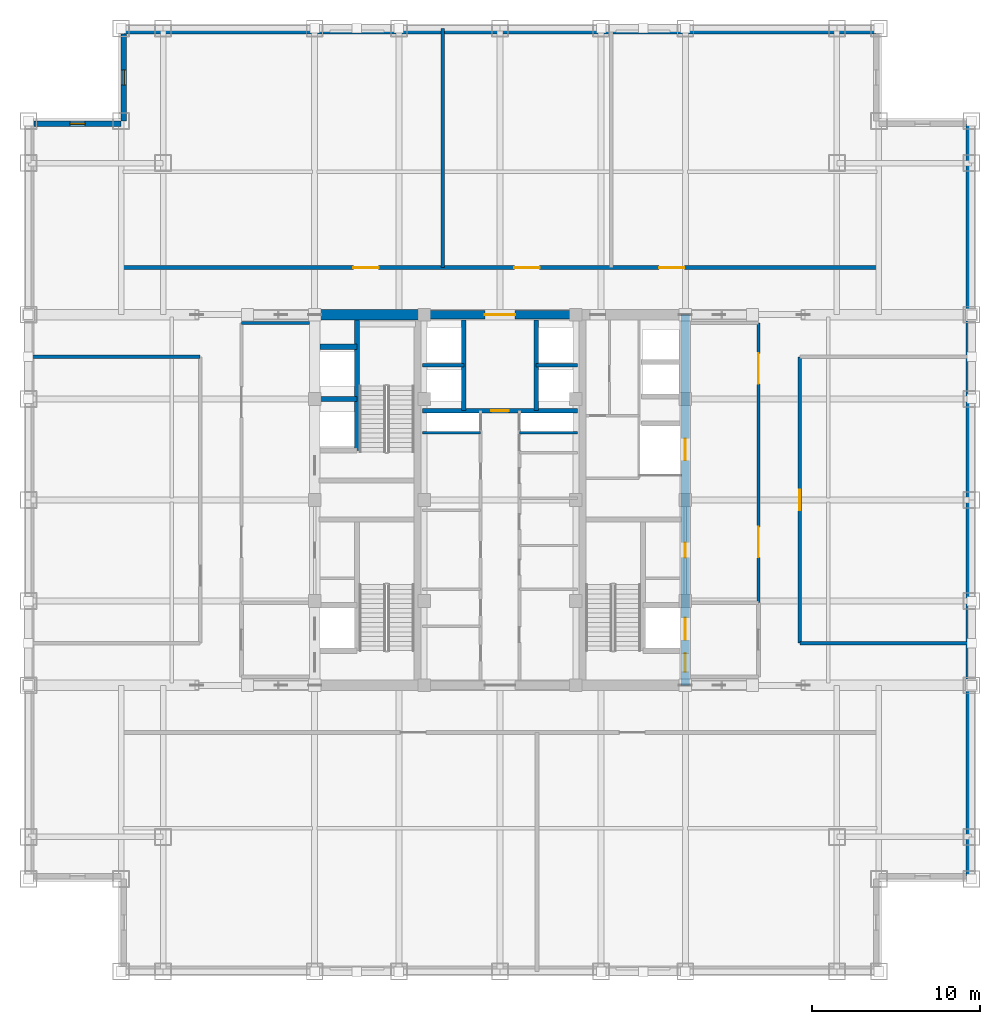
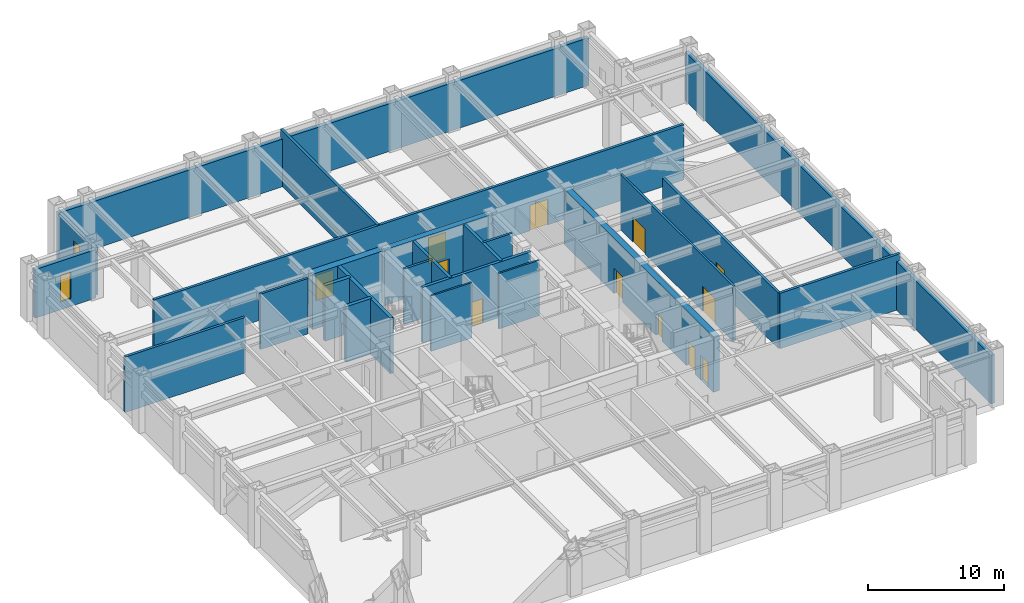
# One storey, part 8 of 11: 24 walls, 12 doors, 2 windows, 14 openings.
"""IFC4 building model written with IfcOpenShell, lengths in metres."""

from ifc_helpers import new_model, si_unit, direction, frame, frame_2d, origin, place, context, subcontext, project, spatial, rectangle, extrude, source, transform, mapped, material, layer, layer_set, type_object, element, fill, save


model = new_model("IFC4")

# Units and contexts
model_context = context("Model", 3, precision=1e-05, world=origin(), true_north=direction((0.0, 1.0)))
body_context = subcontext(model_context, "Body", "Model", "MODEL_VIEW")
ifc_project = project(units=[si_unit("LENGTHUNIT", "METRE"), si_unit("AREAUNIT", "SQUARE_METRE"), si_unit("VOLUMEUNIT", "CUBIC_METRE"), si_unit("PLANEANGLEUNIT", "RADIAN"), si_unit("MASSUNIT", "GRAM", prefix="KILO")], contexts=[model_context])

# Site, building, storey
site_placement = place(None, origin())
site = spatial("IfcSite", under=ifc_project, at=site_placement, CompositionType="ELEMENT")
building_placement = place(site_placement, origin())
building = spatial("IfcBuilding", under=site, at=building_placement, Name="Khorayat Bourse Tower", CompositionType="ELEMENT")
storey_placement = place(building_placement, frame((0.0, 0.0, 268.300048828125)))
storey = spatial("IfcBuildingStorey", under=building, at=storey_placement, Name="L63", CompositionType="ELEMENT", Elevation=268.300048828125)

# Wall, opening, door
ifc_material_1 = material(Name="Concrete C52/65", Category="concrete")
ifc_layer_1 = layer(ifc_material_1, 0.5)
ifc_layer_set_1 = layer_set([ifc_layer_1], Name="Concrete C52/65")
wall_type_1 = type_object("IfcWallType", Name="WAL-CORE-500", PredefinedType="SHEAR", material=ifc_layer_set_1)
shared_shape_1 = source(origin(), body_context, "Body", "SweptSolid", [
    extrude(rectangle(XDim=9.2001953125, YDim=0.5, at=frame_2d((4.60009765625, 0.0))), origin(), (0.0, 0.0, 1.0), 4.97998046875),
])
wall_1_placement = place(storey_placement, frame((-4.60009765625, 11.0, 0.0), z_axis=(0.0, 0.0, 1.0), x_axis=(1.0, 0.0, 0.0)))
wall_1 = element("IfcWall", 1, at=wall_1_placement, inside=storey, type_object=wall_type_1, Name="L63 Core Shear Wall CORE-N", PredefinedType="SHEAR", context=body_context, shape_type="MappedRepresentation", body=[
    mapped(shared_shape_1, transform((0.0, 0.0, 0.0), scale=1.0)),
])
shared_shape_2 = source(origin(), body_context, "Body", "SweptSolid", [
    extrude(rectangle(XDim=1.800048828125, YDim=2.25, at=frame_2d((0.89990234375, 1.125))), frame((0.0, 0.260009765625, 0.0), z_axis=(0.0, -1.0, 0.0), x_axis=(1.0, 0.0, 0.0)), (0.0, 0.0, 1.0), 0.52001953125),
])
opening_1_placement = place(wall_1_placement, frame((3.699951171875, 0.0, 0.0)))
opening_1 = element("IfcOpeningElement", 2, at=opening_1_placement, cuts=wall_1, Name="Opening DI-03", PredefinedType="OPENING", context=body_context, shape_type="MappedRepresentation", body=[
    mapped(shared_shape_2, transform((0.0, 0.0, 0.0), scale=1.0)),
])
ifc_material_2 = material(Name="Fire-rated hardwood vision-panel double leaf", Category="wood")
door_type_1 = type_object("IfcDoorType", Name="DR-INT-CORR-1800", OperationType="NOTDEFINED", PredefinedType="DOOR", material=ifc_material_2)
shared_shape_3 = source(origin(), body_context, "Body", "SweptSolid", [
    extrude(rectangle(XDim=1.800048828125, YDim=2.25, at=frame_2d((0.89990234375, 1.125))), frame((0.0, 0.02490234375, 0.0), z_axis=(0.0, -1.0, 0.0), x_axis=(1.0, 0.0, 0.0)), (0.0, 0.0, 1.0), 0.050048828125),
])
door_1_placement = place(opening_1_placement, origin())
door_1 = element("IfcDoor", 3, at=door_1_placement, inside=storey, type_object=door_type_1, Name="L63 Mid-Rise Lift Lobby Door", OperationType="SINGLE_SWING_RIGHT", OverallHeight=2.25, OverallWidth=1.800048828125, PredefinedType="DOOR", context=body_context, shape_type="MappedRepresentation", body=[
    mapped(shared_shape_3, transform((0.0, 0.0, 0.0), scale=1.0)),
])
fill(opening_1, door_1)

# Wall, openings, doors
shared_shape_4 = source(origin(), body_context, "Body", "SweptSolid", [
    extrude(rectangle(XDim=22.0, YDim=0.5, at=frame_2d((11.0, 0.0))), origin(), (0.0, 0.0, 1.0), 4.97998046875),
])
wall_2_placement = place(storey_placement, frame((11.0, -11.0, 0.0), z_axis=(0.0, 0.0, 1.0), x_axis=(0.0, 1.0, 0.0)))
wall_2 = element("IfcWall", 4, at=wall_2_placement, inside=storey, type_object=wall_type_1, Name="L63 Core Shear Wall CORE-E", PredefinedType="SHEAR", context=body_context, shape_type="MappedRepresentation", body=[
    mapped(shared_shape_4, transform((0.0, 0.0, 0.0), scale=1.0)),
])
shared_shape_5 = source(origin(), body_context, "Body", "SweptSolid", [
    extrude(rectangle(XDim=1.10009765625, YDim=2.199951171875, at=frame_2d((0.550048828125, 1.10009765625))), frame((0.0, 0.260009765625, 0.0), z_axis=(0.0, -1.0, 0.0), x_axis=(1.0, 0.0, 0.0)), (0.0, 0.0, 1.0), 0.52001953125),
])
opening_2_placement = place(wall_2_placement, frame((0.800048828125, 0.0, 0.0)))
opening_2 = element("IfcOpeningElement", 5, at=opening_2_placement, cuts=wall_2, Name="Opening DI-01", PredefinedType="OPENING", context=body_context, shape_type="MappedRepresentation", body=[
    mapped(shared_shape_5, transform((0.0, 0.0, 0.0), scale=1.0)),
])
shared_shape_6 = source(origin(), body_context, "Body", "SweptSolid", [
    extrude(rectangle(XDim=0.89990234375, YDim=2.14990234375, at=frame_2d((0.449951171875, 1.074951171875))), frame((0.0, 0.260009765625, 0.0), z_axis=(0.0, -1.0, 0.0), x_axis=(1.0, 0.0, 0.0)), (0.0, 0.0, 1.0), 0.52001953125),
])
opening_3_placement = place(wall_2_placement, frame((7.574951171875, 0.0, 0.0)))
opening_3 = element("IfcOpeningElement", 6, at=opening_3_placement, cuts=wall_2, Name="Opening DI-06", PredefinedType="OPENING", context=body_context, shape_type="MappedRepresentation", body=[
    mapped(shared_shape_6, transform((0.0, 0.0, 0.0), scale=1.0)),
])
shared_shape_7 = source(origin(), body_context, "Body", "SweptSolid", [
    extrude(rectangle(XDim=1.300048828125, YDim=2.300048828125, at=frame_2d((0.64990234375, 1.14990234375))), frame((0.0, 0.260009765625, 0.0), z_axis=(0.0, -1.0, 0.0), x_axis=(1.0, 0.0, 0.0)), (0.0, 0.0, 1.0), 0.52001953125),
])
opening_4_placement = place(wall_2_placement, frame((2.699951171875, 0.0, 0.0)))
opening_4 = element("IfcOpeningElement", 7, at=opening_4_placement, cuts=wall_2, Name="Opening LD-02", PredefinedType="OPENING", context=body_context, shape_type="MappedRepresentation", body=[
    mapped(shared_shape_7, transform((0.0, 0.0, 0.0), scale=1.0)),
])
opening_5_placement = place(wall_2_placement, frame((13.35009765625, 0.0, 0.0)))
opening_5 = element("IfcOpeningElement", 8, at=opening_5_placement, cuts=wall_2, Name="Opening LD-02", PredefinedType="OPENING", context=body_context, shape_type="MappedRepresentation", body=[
    mapped(shared_shape_7, transform((0.0, 0.0, 0.0), scale=1.0)),
])
ifc_material_3 = material(Name="Fire-rated steel acoustic leaf", Category="steel")
door_type_2 = type_object("IfcDoorType", Name="DR-INT-STAIR-1100", OperationType="NOTDEFINED", PredefinedType="DOOR", material=ifc_material_3)
shared_shape_8 = source(origin(), body_context, "Body", "SweptSolid", [
    extrude(rectangle(XDim=1.10009765625, YDim=2.199951171875, at=frame_2d((0.550048828125, 1.10009765625))), frame((0.0, 0.02490234375, 0.0), z_axis=(0.0, -1.0, 0.0), x_axis=(1.0, 0.0, 0.0)), (0.0, 0.0, 1.0), 0.050048828125),
])
door_2_placement = place(opening_2_placement, origin())
door_2 = element("IfcDoor", 9, at=door_2_placement, inside=storey, type_object=door_type_2, Name="L63 Exit Stair 3 Door", OperationType="SINGLE_SWING_LEFT", OverallHeight=2.199951171875, OverallWidth=1.10009765625, PredefinedType="DOOR", context=body_context, shape_type="MappedRepresentation", body=[
    mapped(shared_shape_8, transform((0.0, 0.0, 0.0), scale=1.0)),
])
fill(opening_2, door_2)
ifc_material_4 = material(Name="Moisture-resistant laminate washroom door")
door_type_3 = type_object("IfcDoorType", Name="DR-INT-WC-900", OperationType="NOTDEFINED", PredefinedType="DOOR", material=ifc_material_4)
shared_shape_9 = source(origin(), body_context, "Body", "SweptSolid", [
    extrude(rectangle(XDim=0.89990234375, YDim=2.14990234375, at=frame_2d((0.449951171875, 1.074951171875))), frame((0.0, 0.02490234375, 0.0), z_axis=(0.0, -1.0, 0.0), x_axis=(1.0, 0.0, 0.0)), (0.0, 0.0, 1.0), 0.050048828125),
])
door_3_placement = place(opening_3_placement, origin())
door_3 = element("IfcDoor", 10, at=door_3_placement, inside=storey, type_object=door_type_3, Name="L63 Fiber Server Plant Room Door", OperationType="SINGLE_SWING_LEFT", OverallHeight=2.14990234375, OverallWidth=0.89990234375, PredefinedType="DOOR", context=body_context, shape_type="MappedRepresentation", body=[
    mapped(shared_shape_9, transform((0.0, 0.0, 0.0), scale=1.0)),
])
fill(opening_3, door_3)
ifc_material_5 = material(Name="Fire-rated stainless-steel sliding landing door", Category="steel")
door_type_4 = type_object("IfcDoorType", Name="DR-LIFT-FF-1300", OperationType="NOTDEFINED", PredefinedType="DOOR", material=ifc_material_5)
shared_shape_10 = source(origin(), body_context, "Body", "SweptSolid", [
    extrude(rectangle(XDim=1.300048828125, YDim=2.300048828125, at=frame_2d((0.64990234375, 1.14990234375))), frame((0.0, 0.02490234375, 0.0), z_axis=(0.0, -1.0, 0.0), x_axis=(1.0, 0.0, 0.0)), (0.0, 0.0, 1.0), 0.050048828125),
])
door_4_placement = place(opening_4_placement, origin())
door_4 = element("IfcDoor", 11, at=door_4_placement, inside=storey, type_object=door_type_4, Name="L63 Lift FFL-02 Sliding Landing Door", OperationType="SLIDING_TO_LEFT", OverallHeight=2.300048828125, OverallWidth=1.300048828125, PredefinedType="DOOR", context=body_context, shape_type="MappedRepresentation", body=[
    mapped(shared_shape_10, transform((0.0, 0.0, 0.0), scale=1.0)),
])
fill(opening_4, door_4)
door_5_placement = place(opening_5_placement, origin())
door_5 = element("IfcDoor", 12, at=door_5_placement, inside=storey, type_object=door_type_4, Name="L63 Lift SVL-01 Sliding Landing Door", OperationType="SLIDING_TO_LEFT", OverallHeight=2.300048828125, OverallWidth=1.300048828125, PredefinedType="DOOR", context=body_context, shape_type="MappedRepresentation", body=[
    mapped(shared_shape_10, transform((0.0, 0.0, 0.0), scale=1.0)),
])
fill(opening_5, door_5)

# Wall
ifc_material_6 = material(Name="Concrete C60/75", Category="concrete")
ifc_layer_2 = layer(ifc_material_6, 0.60009765625)
ifc_layer_set_2 = layer_set([ifc_layer_2], Name="Concrete C60/75")
wall_type_2 = type_object("IfcWallType", Name="WAL-CORE-600", PredefinedType="SHEAR", material=ifc_layer_set_2)
shared_shape_11 = source(origin(), body_context, "Body", "SweptSolid", [
    extrude(rectangle(XDim=5.89990234375, YDim=0.60009765625, at=frame_2d((2.949951171875, 0.0))), origin(), (0.0, 0.0, 1.0), 4.97998046875),
])
wall_3_placement = place(storey_placement, frame((-10.75, 11.0, 0.0), z_axis=(0.0, 0.0, 1.0), x_axis=(1.0, 0.0, 0.0)))
element("IfcWall", 13, at=wall_3_placement, inside=storey, type_object=wall_type_2, Name="L63 Core Shear Wall PIER-WN", PredefinedType="SHEAR", context=body_context, shape_type="MappedRepresentation", body=[
    mapped(shared_shape_11, transform((0.0, 0.0, 0.0), scale=1.0)),
])

# Wall, opening, window
ifc_material_7 = material(Name="Precast concrete C45/55", Category="concrete")
ifc_layer_3 = layer(ifc_material_7, 0.320068359375)
ifc_layer_set_3 = layer_set([ifc_layer_3], Name="Precast concrete C45/55")
wall_type_3 = type_object("IfcWallType", Name="WAL-EXT-STONE-320", PredefinedType="STANDARD", material=ifc_layer_set_3)
shared_shape_12 = source(origin(), body_context, "Body", "SweptSolid", [
    extrude(rectangle(XDim=5.179931640625, YDim=0.320068359375, at=frame_2d((2.58984375, 0.0))), origin(), (0.0, 0.0, 1.0), 4.364013671875),
])
wall_4_placement = place(storey_placement, frame((-22.5, 22.340087890625, 0.0), z_axis=(0.0, 0.0, 1.0), x_axis=(-1.0, 0.0, 0.0)))
wall_4 = element("IfcWall", 14, at=wall_4_placement, inside=storey, type_object=wall_type_3, Name="L63 Re-Entrant Notch Limestone Wall NW-H", PredefinedType="STANDARD", context=body_context, shape_type="MappedRepresentation", body=[
    mapped(shared_shape_12, transform((0.0, 0.0, 0.0), scale=1.0)),
])
shared_shape_13 = source(origin(), body_context, "Body", "SweptSolid", [
    extrude(rectangle(XDim=0.89990234375, YDim=2.39990234375, at=frame_2d((0.449951171875, 1.199951171875))), frame((0.0, 0.169921875, 0.0), z_axis=(0.0, -1.0, 0.0), x_axis=(1.0, 0.0, 0.0)), (0.0, 0.0, 1.0), 0.340087890625),
])
opening_6_placement = place(wall_4_placement, frame((2.139892578125, 0.0, 0.699951171875)))
opening_6 = element("IfcOpeningElement", 15, at=opening_6_placement, cuts=wall_4, Name="Opening WN-03", PredefinedType="OPENING", context=body_context, shape_type="MappedRepresentation", body=[
    mapped(shared_shape_13, transform((0.0, 0.0, 0.0), scale=1.0)),
])
ifc_material_8 = material(Name="Deep-reveal solar-control double glazing", Category="glass")
window_type = type_object("IfcWindowType", Name="WIN-SLOT-900x2400", PartitioningType="SINGLE_PANEL", PredefinedType="WINDOW", material=ifc_material_8)
shared_shape_14 = source(origin(), body_context, "Body", "SweptSolid", [
    extrude(rectangle(XDim=0.89990234375, YDim=2.39990234375, at=frame_2d((0.449951171875, 1.199951171875))), frame((0.0, 0.030029296875, 0.0), z_axis=(0.0, -1.0, 0.0), x_axis=(1.0, 0.0, 0.0)), (0.0, 0.0, 1.0), 0.06005859375),
])
window_1_placement = place(opening_6_placement, origin())
window_1 = element("IfcWindow", 16, at=window_1_placement, inside=storey, type_object=window_type, Name="L63 Facade Window 1", OverallHeight=2.39990234375, OverallWidth=0.89990234375, PartitioningType="SINGLE_PANEL", PredefinedType="WINDOW", context=body_context, shape_type="MappedRepresentation", body=[
    mapped(shared_shape_14, transform((0.0, 0.0, 0.0), scale=1.0)),
])
fill(opening_6, window_1)

shared_shape_15 = source(origin(), body_context, "Body", "SweptSolid", [
    extrude(rectangle(XDim=5.179931640625, YDim=0.320068359375, at=frame_2d((2.58984375, 0.0))), origin(), (0.0, 0.0, 1.0), 4.283935546875),
])
wall_5_placement = place(storey_placement, frame((-22.340087890625, 22.5, 0.0), z_axis=(0.0, 0.0, 1.0), x_axis=(0.0, 1.0, 0.0)))
wall_5 = element("IfcWall", 17, at=wall_5_placement, inside=storey, type_object=wall_type_3, Name="L63 Re-Entrant Notch Limestone Wall NW-V", PredefinedType="STANDARD", context=body_context, shape_type="MappedRepresentation", body=[
    mapped(shared_shape_15, transform((0.0, 0.0, 0.0), scale=1.0)),
])
opening_7_placement = place(wall_5_placement, frame((2.139892578125, 0.0, 0.699951171875)))
opening_7 = element("IfcOpeningElement", 18, at=opening_7_placement, cuts=wall_5, Name="Opening WN-03", PredefinedType="OPENING", context=body_context, shape_type="MappedRepresentation", body=[
    mapped(shared_shape_13, transform((0.0, 0.0, 0.0), scale=1.0)),
])
window_2_placement = place(opening_7_placement, origin())
window_2 = element("IfcWindow", 19, at=window_2_placement, inside=storey, type_object=window_type, Name="L63 Facade Window 1", OverallHeight=2.39990234375, OverallWidth=0.89990234375, PartitioningType="SINGLE_PANEL", PredefinedType="WINDOW", context=body_context, shape_type="MappedRepresentation", body=[
    mapped(shared_shape_14, transform((0.0, 0.0, 0.0), scale=1.0)),
])
fill(opening_7, window_2)

# Walls
shared_shape_16 = source(origin(), body_context, "Body", "SweptSolid", [
    extrude(rectangle(XDim=45.0, YDim=0.320068359375, at=frame_2d((22.5, 0.0))), origin(), (0.0, 0.0, 1.0), 4.283935546875),
])
wall_6_placement = place(storey_placement, frame((-22.5, 27.840087890625, 0.0), z_axis=(0.0, 0.0, 1.0), x_axis=(1.0, 0.0, 0.0)))
element("IfcWall", 20, at=wall_6_placement, inside=storey, type_object=wall_type_3, Name="L63 Plant Perimeter Wall N", PredefinedType="STANDARD", context=body_context, shape_type="MappedRepresentation", body=[
    mapped(shared_shape_16, transform((0.0, 0.0, 0.0), scale=1.0)),
])
shared_shape_17 = source(origin(), body_context, "Body", "SweptSolid", [
    extrude(rectangle(XDim=45.0, YDim=0.320068359375, at=frame_2d((22.5, 0.0))), origin(), (0.0, 0.0, 1.0), 4.364013671875),
])
wall_7_placement = place(storey_placement, frame((27.840087890625, -22.5, 0.0), z_axis=(0.0, 0.0, 1.0), x_axis=(0.0, 1.0, 0.0)))
element("IfcWall", 21, at=wall_7_placement, inside=storey, type_object=wall_type_3, Name="L63 Plant Perimeter Wall E", PredefinedType="STANDARD", context=body_context, shape_type="MappedRepresentation", body=[
    mapped(shared_shape_17, transform((0.0, 0.0, 0.0), scale=1.0)),
])
ifc_material_9 = material(Name="Concrete C50/60", Category="concrete")
ifc_layer_4 = layer(ifc_material_9, 0.300048828125)
ifc_layer_set_4 = layer_set([ifc_layer_4], Name="Concrete C50/60")
wall_type_4 = type_object("IfcWallType", Name="WAL-SHAFT-300", PredefinedType="SHEAR", material=ifc_layer_set_4)
shared_shape_18 = source(origin(), body_context, "Body", "SweptSolid", [
    extrude(rectangle(XDim=2.199951171875, YDim=0.300048828125, at=frame_2d((1.10009765625, 0.0))), origin(), (0.0, 0.0, 1.0), 4.97998046875),
])
for number, where, z_axis, x_axis, name in (
    (22, (-10.699951171875, 6.0, 0.0), (0.0, 0.0, 1.0), (1.0, 0.0, 0.0), "L63 Partition WAL-L63-WPIER-H12"),
    (23, (-10.699951171875, 9.10009765625, 0.0), (0.0, 0.0, 1.0), (1.0, 0.0, 0.0), "L63 Partition WAL-L63-WPIER-H2N"),
):
    element("IfcWall", number, at=place(storey_placement, frame(where, z_axis=z_axis, x_axis=x_axis)), inside=storey, type_object=wall_type_4, Name=name, PredefinedType="SHEAR", context=body_context, shape_type="MappedRepresentation", body=[
        mapped(shared_shape_18, transform((0.0, 0.0, 0.0), scale=1.0)),
    ])
shared_shape_19 = source(origin(), body_context, "Body", "SweptSolid", [
    extrude(rectangle(XDim=7.75, YDim=0.300048828125, at=frame_2d((3.875, 0.0))), origin(), (0.0, 0.0, 1.0), 4.97998046875),
])
wall_8_placement = place(storey_placement, frame((-8.5, 2.949951171875, 0.0), z_axis=(0.0, 0.0, 1.0), x_axis=(0.0, 1.0, 0.0)))
element("IfcWall", 24, at=wall_8_placement, inside=storey, type_object=wall_type_4, Name="L63 Partition WAL-L63-WPIER-ST2S", PredefinedType="SHEAR", context=body_context, shape_type="MappedRepresentation", body=[
    mapped(shared_shape_19, transform((0.0, 0.0, 0.0), scale=1.0)),
])
ifc_material_10 = material(Name="Gypsum plasterboard acoustic stud wall")
ifc_layer_5 = layer(ifc_material_10, 0.179931640625)
ifc_layer_set_5 = layer_set([ifc_layer_5], Name="Gypsum plasterboard acoustic stud wall")
wall_type_5 = type_object("IfcWallType", Name="WAL-PART-CORR-180", PredefinedType="PARTITIONING", material=ifc_layer_set_5)
shared_shape_20 = source(origin(), body_context, "Body", "SweptSolid", [
    extrude(rectangle(XDim=4.050048828125, YDim=0.179931640625, at=frame_2d((2.02490234375, 0.0))), origin(), (0.0, 0.0, 1.0), 4.97998046875),
])
wall_9_placement = place(storey_placement, frame((-15.35009765625, 10.5, 0.0), z_axis=(0.0, 0.0, 1.0), x_axis=(1.0, 0.0, 0.0)))
element("IfcWall", 25, at=wall_9_placement, inside=storey, type_object=wall_type_5, Name="L63 Partition WAL-L63-WLOB-N", PredefinedType="PARTITIONING", context=body_context, shape_type="MappedRepresentation", body=[
    mapped(shared_shape_20, transform((0.0, 0.0, 0.0), scale=1.0)),
])

# Wall, openings, doors
shared_shape_21 = source(origin(), body_context, "Body", "SweptSolid", [
    extrude(rectangle(XDim=16.60009765625, YDim=0.179931640625, at=frame_2d((8.300048828125, 0.0))), origin(), (0.0, 0.0, 1.0), 4.97998046875),
])
wall_10_placement = place(storey_placement, frame((15.35009765625, -6.10009765625, 0.0), z_axis=(0.0, 0.0, 1.0), x_axis=(0.0, 1.0, 0.0)))
wall_10 = element("IfcWall", 26, at=wall_10_placement, inside=storey, type_object=wall_type_5, Name="L63 Partition WAL-L63-ELOB-E", PredefinedType="PARTITIONING", context=body_context, shape_type="MappedRepresentation", body=[
    mapped(shared_shape_21, transform((0.0, 0.0, 0.0), scale=1.0)),
])
shared_shape_22 = source(origin(), body_context, "Body", "SweptSolid", [
    extrude(rectangle(XDim=1.800048828125, YDim=2.25, at=frame_2d((0.89990234375, 1.125))), frame((0.0, 0.099853515625, 0.0), z_axis=(0.0, -1.0, 0.0), x_axis=(1.0, 0.0, 0.0)), (0.0, 0.0, 1.0), 0.199951171875),
])
opening_8_placement = place(wall_10_placement, frame((2.699951171875, 0.0, 0.0)))
opening_8 = element("IfcOpeningElement", 27, at=opening_8_placement, cuts=wall_10, Name="Opening DI-03", PredefinedType="OPENING", context=body_context, shape_type="MappedRepresentation", body=[
    mapped(shared_shape_22, transform((0.0, 0.0, 0.0), scale=1.0)),
])
opening_9_placement = place(wall_10_placement, frame((13.0, 0.0, 0.0)))
opening_9 = element("IfcOpeningElement", 28, at=opening_9_placement, cuts=wall_10, Name="Opening DI-03", PredefinedType="OPENING", context=body_context, shape_type="MappedRepresentation", body=[
    mapped(shared_shape_22, transform((0.0, 0.0, 0.0), scale=1.0)),
])
door_6_placement = place(opening_8_placement, origin())
door_6 = element("IfcDoor", 29, at=door_6_placement, inside=storey, type_object=door_type_1, Name="L63 East Core Lobby South Door", OperationType="SINGLE_SWING_RIGHT", OverallHeight=2.25, OverallWidth=1.800048828125, PredefinedType="DOOR", context=body_context, shape_type="MappedRepresentation", body=[
    mapped(shared_shape_3, transform((0.0, 0.0, 0.0), scale=1.0)),
])
fill(opening_8, door_6)
door_7_placement = place(opening_9_placement, origin())
door_7 = element("IfcDoor", 30, at=door_7_placement, inside=storey, type_object=door_type_1, Name="L63 East Core Lobby North Door", OperationType="SINGLE_SWING_LEFT", OverallHeight=2.25, OverallWidth=1.800048828125, PredefinedType="DOOR", context=body_context, shape_type="MappedRepresentation", body=[
    mapped(shared_shape_3, transform((0.0, 0.0, 0.0), scale=1.0)),
])
fill(opening_9, door_7)

# Walls
ifc_material_11 = material(Name="Gypsum plasterboard twin-frame partition")
ifc_layer_6 = layer(ifc_material_11, 0.14990234375)
ifc_layer_set_6 = layer_set([ifc_layer_6], Name="Gypsum plasterboard twin-frame partition")
wall_type_6 = type_object("IfcWallType", Name="WAL-PART-SUITE-150", PredefinedType="PARTITIONING", material=ifc_layer_set_6)
shared_shape_23 = source(origin(), body_context, "Body", "SweptSolid", [
    extrude(rectangle(XDim=3.4501953125, YDim=0.14990234375, at=frame_2d((1.72509765625, 0.0))), origin(), (0.0, 0.0, 1.0), 4.97998046875),
])
for number, where, z_axis, x_axis, name in (
    (31, (-4.60009765625, 4.0, 0.0), (0.0, 0.0, 1.0), (1.0, 0.0, 0.0), "L63 Partition WAL-L63-CRSW-S"),
    (32, (1.14990234375, 4.0, 0.0), (0.0, 0.0, 1.0), (1.0, 0.0, 0.0), "L63 Partition WAL-L63-CRSE-S"),
):
    element("IfcWall", number, at=place(storey_placement, frame(where, z_axis=z_axis, x_axis=x_axis)), inside=storey, type_object=wall_type_6, Name=name, PredefinedType="PARTITIONING", context=body_context, shape_type="MappedRepresentation", body=[
        mapped(shared_shape_23, transform((0.0, 0.0, 0.0), scale=1.0)),
    ])
shared_shape_24 = source(origin(), body_context, "Body", "SweptSolid", [
    extrude(rectangle(XDim=5.39990234375, YDim=0.25, at=frame_2d((2.699951171875, 0.0))), origin(), (0.0, 0.0, 1.0), 4.97998046875),
])
for number, where, z_axis, x_axis, name in (
    (33, (-2.14990234375, 5.300048828125, 0.0), (0.0, 0.0, 1.0), (0.0, 1.0, 0.0), "L63 Partition WAL-L63-B2-W"),
    (34, (2.14990234375, 5.300048828125, 0.0), (0.0, 0.0, 1.0), (0.0, 1.0, 0.0), "L63 Partition WAL-L63-B2-E"),
):
    element("IfcWall", number, at=place(storey_placement, frame(where, z_axis=z_axis, x_axis=x_axis)), inside=storey, type_object=wall_type_4, Name=name, PredefinedType="SHEAR", context=body_context, shape_type="MappedRepresentation", body=[
        mapped(shared_shape_24, transform((0.0, 0.0, 0.0), scale=1.0)),
    ])
shared_shape_25 = source(origin(), body_context, "Body", "SweptSolid", [
    extrude(rectangle(XDim=2.4501953125, YDim=0.199951171875, at=frame_2d((1.22509765625, 0.0))), origin(), (0.0, 0.0, 1.0), 4.97998046875),
])
for number, where, z_axis, x_axis, name in (
    (35, (-4.60009765625, 8.0, 0.0), (0.0, 0.0, 1.0), (1.0, 0.0, 0.0), "L63 Partition WAL-L63-B2-MW"),
    (36, (2.14990234375, 8.0, 0.0), (0.0, 0.0, 1.0), (1.0, 0.0, 0.0), "L63 Partition WAL-L63-B2-ME"),
):
    element("IfcWall", number, at=place(storey_placement, frame(where, z_axis=z_axis, x_axis=x_axis)), inside=storey, type_object=wall_type_4, Name=name, PredefinedType="SHEAR", context=body_context, shape_type="MappedRepresentation", body=[
        mapped(shared_shape_25, transform((0.0, 0.0, 0.0), scale=1.0)),
    ])

# Wall, opening, door
shared_shape_26 = source(origin(), body_context, "Body", "SweptSolid", [
    extrude(rectangle(XDim=9.2001953125, YDim=0.25, at=frame_2d((4.60009765625, 0.0))), origin(), (0.0, 0.0, 1.0), 4.97998046875),
])
wall_11_placement = place(storey_placement, frame((-4.60009765625, 5.300048828125, 0.0), z_axis=(0.0, 0.0, 1.0), x_axis=(1.0, 0.0, 0.0)))
wall_11 = element("IfcWall", 37, at=wall_11_placement, inside=storey, type_object=wall_type_4, Name="L63 Partition WAL-L63-B2-S", PredefinedType="SHEAR", context=body_context, shape_type="MappedRepresentation", body=[
    mapped(shared_shape_26, transform((0.0, 0.0, 0.0), scale=1.0)),
])
shared_shape_27 = source(origin(), body_context, "Body", "SweptSolid", [
    extrude(rectangle(XDim=1.050048828125, YDim=2.199951171875, at=frame_2d((0.52490234375, 1.10009765625))), frame((0.0, 0.135009765625, 0.0), z_axis=(0.0, -1.0, 0.0), x_axis=(1.0, 0.0, 0.0)), (0.0, 0.0, 1.0), 0.27001953125),
])
opening_10_placement = place(wall_11_placement, frame((4.074951171875, 0.0, 0.0)))
opening_10 = element("IfcOpeningElement", 38, at=opening_10_placement, cuts=wall_11, Name="Opening DI-04", PredefinedType="OPENING", context=body_context, shape_type="MappedRepresentation", body=[
    mapped(shared_shape_27, transform((0.0, 0.0, 0.0), scale=1.0)),
])
ifc_material_12 = material(Name="Fire-rated oak veneer suite entrance door")
door_type_5 = type_object("IfcDoorType", Name="DR-INT-SUITE-1050", OperationType="NOTDEFINED", PredefinedType="DOOR", material=ifc_material_12)
shared_shape_28 = source(origin(), body_context, "Body", "SweptSolid", [
    extrude(rectangle(XDim=1.050048828125, YDim=2.199951171875, at=frame_2d((0.52490234375, 1.10009765625))), frame((0.0, 0.02490234375, 0.0), z_axis=(0.0, -1.0, 0.0), x_axis=(1.0, 0.0, 0.0)), (0.0, 0.0, 1.0), 0.050048828125),
])
door_8_placement = place(opening_10_placement, origin())
door_8 = element("IfcDoor", 39, at=door_8_placement, inside=storey, type_object=door_type_5, Name="L63 Core Spine North Door", OperationType="SINGLE_SWING_RIGHT", OverallHeight=2.199951171875, OverallWidth=1.050048828125, PredefinedType="DOOR", context=body_context, shape_type="MappedRepresentation", body=[
    mapped(shared_shape_28, transform((0.0, 0.0, 0.0), scale=1.0)),
])
fill(opening_10, door_8)

ifc_material_13 = material(Name="Aerated concrete blockwork", Category="masonry")
ifc_layer_7 = layer(ifc_material_13, 0.219970703125)
ifc_layer_set_7 = layer_set([ifc_layer_7], Name="Aerated concrete blockwork")
wall_type_7 = type_object("IfcWallType", Name="WAL-PART-FF-220", PredefinedType="PARTITIONING", material=ifc_layer_set_7)
shared_shape_29 = source(origin(), body_context, "Body", "SweptSolid", [
    extrude(rectangle(XDim=17.0, YDim=0.219970703125, at=frame_2d((8.5, 0.0))), origin(), (0.0, 0.0, 1.0), 4.97998046875),
])
wall_12_placement = place(storey_placement, frame((17.800048828125, -8.5, 0.0), z_axis=(0.0, 0.0, 1.0), x_axis=(0.0, 1.0, 0.0)))
wall_12 = element("IfcWall", 40, at=wall_12_placement, inside=storey, type_object=wall_type_7, Name="L63 Partition WAL-L63-PLE-W", PredefinedType="PARTITIONING", context=body_context, shape_type="MappedRepresentation", body=[
    mapped(shared_shape_29, transform((0.0, 0.0, 0.0), scale=1.0)),
])
shared_shape_30 = source(origin(), body_context, "Body", "SweptSolid", [
    extrude(rectangle(XDim=1.199951171875, YDim=2.199951171875, at=frame_2d((0.60009765625, 1.10009765625))), frame((0.0, 0.119873046875, 0.0), z_axis=(0.0, -1.0, 0.0), x_axis=(1.0, 0.0, 0.0)), (0.0, 0.0, 1.0), 0.239990234375),
])
opening_11_placement = place(wall_12_placement, frame((7.89990234375, 0.0, 0.0)))
opening_11 = element("IfcOpeningElement", 41, at=opening_11_placement, cuts=wall_12, Name="Opening DI-02", PredefinedType="OPENING", context=body_context, shape_type="MappedRepresentation", body=[
    mapped(shared_shape_30, transform((0.0, 0.0, 0.0), scale=1.0)),
])
ifc_material_14 = material(Name="Fire-rated steel double-seal leaf", Category="steel")
door_type_6 = type_object("IfcDoorType", Name="DR-INT-FFLOBBY-1200", OperationType="NOTDEFINED", PredefinedType="DOOR", material=ifc_material_14)
shared_shape_31 = source(origin(), body_context, "Body", "SweptSolid", [
    extrude(rectangle(XDim=1.199951171875, YDim=2.199951171875, at=frame_2d((0.60009765625, 1.10009765625))), frame((0.0, 0.02490234375, 0.0), z_axis=(0.0, -1.0, 0.0), x_axis=(1.0, 0.0, 0.0)), (0.0, 0.0, 1.0), 0.050048828125),
])
door_9_placement = place(opening_11_placement, origin())
door_9 = element("IfcDoor", 42, at=door_9_placement, inside=storey, type_object=door_type_6, Name="L63 Protected Area of Refuge East Door", OperationType="SINGLE_SWING_RIGHT", OverallHeight=2.199951171875, OverallWidth=1.199951171875, PredefinedType="DOOR", context=body_context, shape_type="MappedRepresentation", body=[
    mapped(shared_shape_31, transform((0.0, 0.0, 0.0), scale=1.0)),
])
fill(opening_11, door_9)

# Wall
shared_shape_32 = source(origin(), body_context, "Body", "SweptSolid", [
    extrude(rectangle(XDim=14.199951171875, YDim=0.219970703125, at=frame_2d((7.10009765625, 0.0))), origin(), (0.0, 0.0, 1.0), 4.97998046875),
])
wall_13_placement = place(storey_placement, frame((-3.39990234375, 13.800048828125, 0.0), z_axis=(0.0, 0.0, 1.0), x_axis=(0.0, 1.0, 0.0)))
element("IfcWall", 43, at=wall_13_placement, inside=storey, type_object=wall_type_7, Name="L63 Partition WAL-L63-PLN-D1", PredefinedType="PARTITIONING", context=body_context, shape_type="MappedRepresentation", body=[
    mapped(shared_shape_32, transform((0.0, 0.0, 0.0), scale=1.0)),
])

# Wall, openings, doors
shared_shape_33 = source(origin(), body_context, "Body", "SweptSolid", [
    extrude(rectangle(XDim=45.0, YDim=0.219970703125, at=frame_2d((22.5, 0.0))), origin(), (0.0, 0.0, 1.0), 4.97998046875),
])
wall_14_placement = place(storey_placement, frame((-22.5, 13.800048828125, 0.0), z_axis=(0.0, 0.0, 1.0), x_axis=(1.0, 0.0, 0.0)))
wall_14 = element("IfcWall", 44, at=wall_14_placement, inside=storey, type_object=wall_type_7, Name="L63 Partition WAL-L63-PLN-S", PredefinedType="PARTITIONING", context=body_context, shape_type="MappedRepresentation", body=[
    mapped(shared_shape_33, transform((0.0, 0.0, 0.0), scale=1.0)),
])
shared_shape_34 = source(origin(), body_context, "Body", "SweptSolid", [
    extrude(rectangle(XDim=1.5, YDim=2.300048828125, at=frame_2d((0.75, 1.14990234375))), frame((0.0, 0.119873046875, 0.0), z_axis=(0.0, -1.0, 0.0), x_axis=(1.0, 0.0, 0.0)), (0.0, 0.0, 1.0), 0.239990234375),
])
opening_12_placement = place(wall_14_placement, frame((13.800048828125, 0.0, 0.0)))
opening_12 = element("IfcOpeningElement", 45, at=opening_12_placement, cuts=wall_14, Name="Opening DI-07", PredefinedType="OPENING", context=body_context, shape_type="MappedRepresentation", body=[
    mapped(shared_shape_34, transform((0.0, 0.0, 0.0), scale=1.0)),
])
opening_13_placement = place(wall_14_placement, frame((23.35009765625, 0.0, 0.0)))
opening_13 = element("IfcOpeningElement", 46, at=opening_13_placement, cuts=wall_14, Name="Opening DI-07", PredefinedType="OPENING", context=body_context, shape_type="MappedRepresentation", body=[
    mapped(shared_shape_34, transform((0.0, 0.0, 0.0), scale=1.0)),
])
opening_14_placement = place(wall_14_placement, frame((31.949951171875, 0.0, 0.0)))
opening_14 = element("IfcOpeningElement", 47, at=opening_14_placement, cuts=wall_14, Name="Opening DI-07", PredefinedType="OPENING", context=body_context, shape_type="MappedRepresentation", body=[
    mapped(shared_shape_34, transform((0.0, 0.0, 0.0), scale=1.0)),
])
ifc_material_15 = material(Name="Louvred fire-rated steel plant double door", Category="steel")
door_type_7 = type_object("IfcDoorType", Name="DR-INT-PLANT-1500", OperationType="NOTDEFINED", PredefinedType="DOOR", material=ifc_material_15)
shared_shape_35 = source(origin(), body_context, "Body", "SweptSolid", [
    extrude(rectangle(XDim=1.5, YDim=2.300048828125, at=frame_2d((0.75, 1.14990234375))), frame((0.0, 0.02490234375, 0.0), z_axis=(0.0, -1.0, 0.0), x_axis=(1.0, 0.0, 0.0)), (0.0, 0.0, 1.0), 0.050048828125),
])
door_10_placement = place(opening_12_placement, origin())
door_10 = element("IfcDoor", 48, at=door_10_placement, inside=storey, type_object=door_type_7, Name="L63 AHU Plant Door", OperationType="SINGLE_SWING_LEFT", OverallHeight=2.300048828125, OverallWidth=1.5, PredefinedType="DOOR", context=body_context, shape_type="MappedRepresentation", body=[
    mapped(shared_shape_35, transform((0.0, 0.0, 0.0), scale=1.0)),
])
fill(opening_12, door_10)
door_11_placement = place(opening_13_placement, origin())
door_11 = element("IfcDoor", 49, at=door_11_placement, inside=storey, type_object=door_type_7, Name="L63 HV Switchgear Door", OperationType="SINGLE_SWING_RIGHT", OverallHeight=2.300048828125, OverallWidth=1.5, PredefinedType="DOOR", context=body_context, shape_type="MappedRepresentation", body=[
    mapped(shared_shape_35, transform((0.0, 0.0, 0.0), scale=1.0)),
])
fill(opening_13, door_11)
door_12_placement = place(opening_14_placement, origin())
door_12 = element("IfcDoor", 50, at=door_12_placement, inside=storey, type_object=door_type_7, Name="L63 BMS Plant Door", OperationType="SINGLE_SWING_LEFT", OverallHeight=2.300048828125, OverallWidth=1.5, PredefinedType="DOOR", context=body_context, shape_type="MappedRepresentation", body=[
    mapped(shared_shape_35, transform((0.0, 0.0, 0.0), scale=1.0)),
])
fill(opening_14, door_12)

# Walls
shared_shape_36 = source(origin(), body_context, "Body", "SweptSolid", [
    extrude(rectangle(XDim=10.199951171875, YDim=0.219970703125, at=frame_2d((5.10009765625, 0.0))), origin(), (0.0, 0.0, 1.0), 4.97998046875),
])
for number, where, z_axis, x_axis, name in (
    (51, (-28.0, 8.5, 0.0), (0.0, 0.0, 1.0), (1.0, 0.0, 0.0), "L63 Partition WAL-L63-PLW-N"),
    (52, (17.800048828125, -8.5, 0.0), (0.0, 0.0, 1.0), (1.0, 0.0, 0.0), "L63 Partition WAL-L63-PLE-S"),
):
    element("IfcWall", number, at=place(storey_placement, frame(where, z_axis=z_axis, x_axis=x_axis)), inside=storey, type_object=wall_type_7, Name=name, PredefinedType="PARTITIONING", context=body_context, shape_type="MappedRepresentation", body=[
        mapped(shared_shape_36, transform((0.0, 0.0, 0.0), scale=1.0)),
    ])

save(model, "model.ifc")
